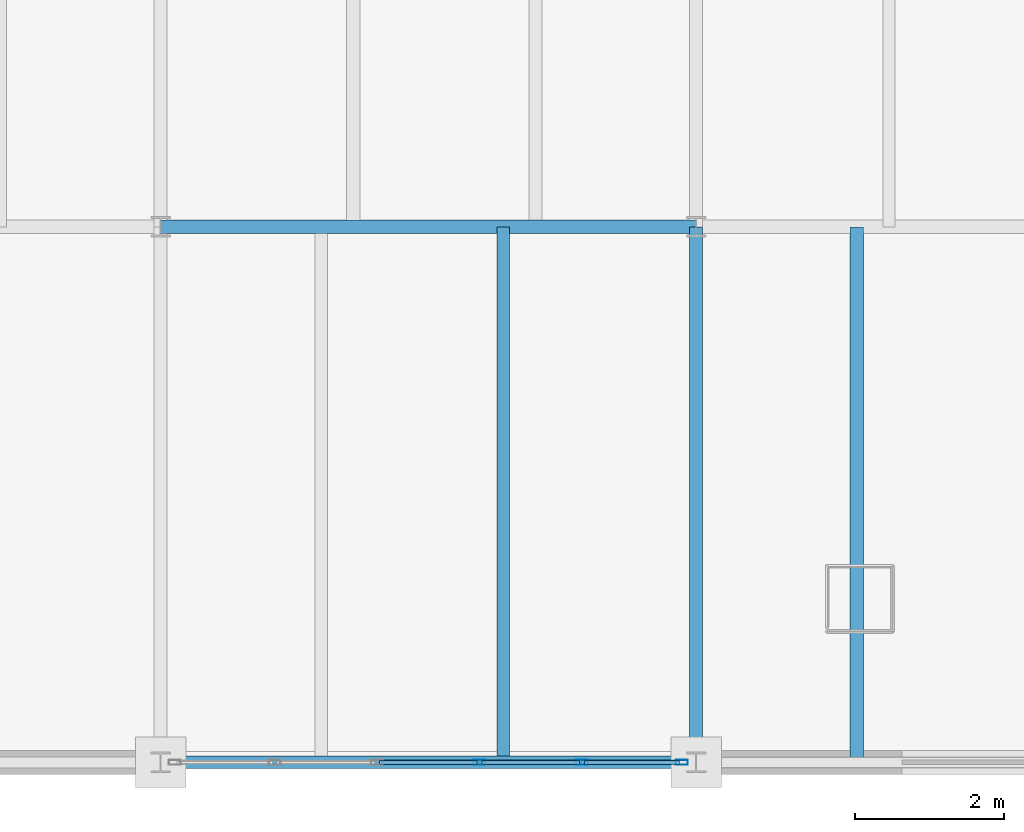
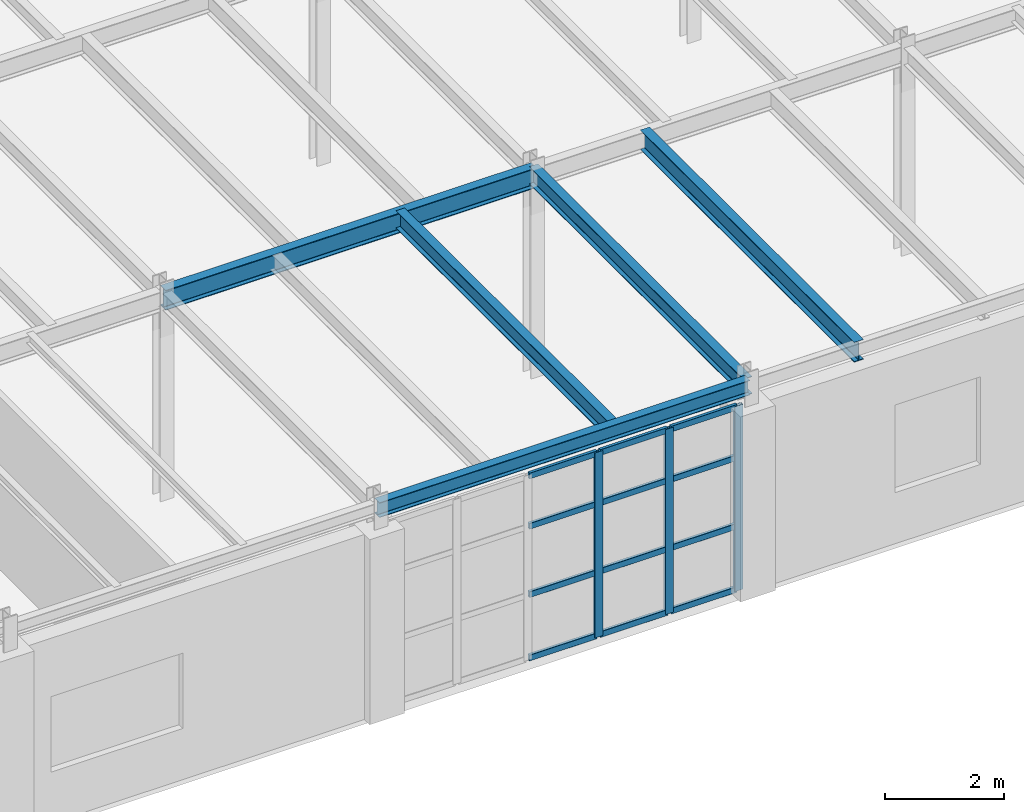
# One storey, part 17 of 101: 15 members, 5 beams, 1 element without a shape of its own.
"""IFC4 building model written with IfcOpenShell, lengths in metres."""

import ifcopenshell
import ifcopenshell.guid

model = None  # the IFC model being written
_history = None  # IfcOwnerHistory: only IFC2X3 demands one
_inside = {}  # id of a spatial element -> (the spatial element, [elements in it])
_under = {}  # id of a project, library or spatial element -> (it, [spatial elements below it])
_declared = {}  # id of a project -> (the project, [libraries it declares])
_typed = {}  # id of a type object -> (the type object, [elements of that type])
_made_of = {}  # id of a material, layer set ... -> (it, [elements and type objects made of it])


def new_model(schema):
    """Start an empty IFC model of exactly this schema.

    Asked for "IFC4X3", IfcOpenShell would pick the latest addendum, in which some entities
    have other attributes; the version numbers below select the first issue.
    IFC2X3 requires an IfcOwnerHistory on every rooted entity: one is made here for all.
    """
    global model, _history
    if schema == "IFC4X3":
        model = ifcopenshell.file(schema_version=(4, 3, 0, 0))
    else:
        model = ifcopenshell.file(schema=schema)
    _inside.clear()
    _under.clear()
    _declared.clear()
    _typed.clear()
    _made_of.clear()
    _history = None
    if model.schema == "IFC2X3":
        org = make("IfcOrganization", Name="unknown")
        user = make(
            "IfcPersonAndOrganization",
            ThePerson=make("IfcPerson", FamilyName="unknown"),
            TheOrganization=org,
        )
        app = make(
            "IfcApplication",
            ApplicationDeveloper=org,
            Version="unknown",
            ApplicationFullName="unknown",
            ApplicationIdentifier="unknown",
        )
        _history = make(
            "IfcOwnerHistory",
            OwningUser=user,
            OwningApplication=app,
            ChangeAction="ADDED",
            CreationDate=0,
        )
    return model


def make(cls, **values):
    """One entity of the class cls with the attributes given. An attribute that is None is left unset."""
    return model.create_entity(
        cls, **{name: value for name, value in values.items() if value is not None}
    )


def rooted(cls, **values):
    """An entity with a GlobalId (a new one), such as an element, a storey or a relation."""
    return make(cls, GlobalId=ifcopenshell.guid.new(), OwnerHistory=_history, **values)


def si_unit(unit_type, name, prefix=None):
    """IfcSIUnit, for example si_unit("LENGTHUNIT", "METRE", prefix="MILLI")."""
    return make("IfcSIUnit", UnitType=unit_type, Prefix=prefix, Name=name)


def assignment(units):
    """IfcUnitAssignment: the units of a project."""
    return None if units is None else make("IfcUnitAssignment", Units=units)


def point(xyz):
    """IfcCartesianPoint."""
    return None if xyz is None else make("IfcCartesianPoint", Coordinates=xyz)


def direction(xyz):
    """IfcDirection."""
    return None if xyz is None else make("IfcDirection", DirectionRatios=xyz)


def frame(location, z_axis=None, x_axis=None):
    """IfcAxis2Placement3D, a coordinate frame: its origin and axes. An axis left out is left unset."""
    return make(
        "IfcAxis2Placement3D",
        Location=point(location),
        Axis=direction(z_axis),
        RefDirection=direction(x_axis),
    )


def frame_2d(location, x_axis=None):
    """IfcAxis2Placement2D, a coordinate frame in the plane: its origin and x axis."""
    return make(
        "IfcAxis2Placement2D", Location=point(location), RefDirection=direction(x_axis)
    )


def origin():
    """The frame at (0, 0, 0) with its axes left unset."""
    return frame((0.0, 0.0, 0.0))


def origin_2d():
    """The frame at (0, 0) in the plane with its x axis left unset."""
    return frame_2d((0.0, 0.0))


def place(relative_to, where):
    """IfcLocalPlacement: puts the frame where relative to a parent placement (None: the world)."""
    return make(
        "IfcLocalPlacement", PlacementRelTo=relative_to, RelativePlacement=where
    )


def context(
    kind, dimensions, precision=None, world=None, true_north=None, identifier=None
):
    """IfcGeometricRepresentationContext, for example the 3D "Model" context."""
    return make(
        "IfcGeometricRepresentationContext",
        ContextIdentifier=identifier,
        ContextType=kind,
        CoordinateSpaceDimension=dimensions,
        Precision=precision,
        WorldCoordinateSystem=world,
        TrueNorth=true_north,
    )


def subcontext(parent, identifier, kind, view, scale=None):
    """IfcGeometricRepresentationSubContext, for example "Body" below "Model"."""
    return make(
        "IfcGeometricRepresentationSubContext",
        ContextIdentifier=identifier,
        ContextType=kind,
        ParentContext=parent,
        TargetScale=scale,
        TargetView=view,
    )


def project(units=None, contexts=None):
    """IfcProject with its units and contexts."""
    return rooted(
        "IfcProject",
        Name="project",
        RepresentationContexts=contexts,
        UnitsInContext=assignment(units),
    )


def spatial(cls, under=None, at=None, **own):
    """A site, building, storey or space (cls), placed at a placement, below another one or the project."""
    s = rooted(cls, ObjectPlacement=at, **own)
    if under is not None:
        _under.setdefault(under.id(), (under, []))[1].append(s)
    return s


def profile(cls, at=None, kind="AREA", **sizes):
    """A parametric profile (cls). Its sizes go by their IFC names, for example OverallWidth=200.0."""
    return make(cls, ProfileType=kind, Position=at, **sizes)


def hollow_rectangle(**sizes):
    """IfcRectangleHollowProfileDef."""
    return profile("IfcRectangleHollowProfileDef", **sizes)


def i_section(**sizes):
    """IfcIShapeProfileDef."""
    return profile("IfcIShapeProfileDef", **sizes)


def extrude(swept, where, along, depth):
    """IfcExtrudedAreaSolid: the profile swept, set in the frame where, extruded along a direction by depth."""
    return make(
        "IfcExtrudedAreaSolid",
        SweptArea=swept,
        Position=where,
        ExtrudedDirection=direction(along),
        Depth=depth,
    )


def shape(context_of_items, identifier, shape_type, items):
    """IfcShapeRepresentation: the items that make up one representation, for example the "Body"."""
    return make(
        "IfcShapeRepresentation",
        ContextOfItems=context_of_items,
        RepresentationIdentifier=identifier,
        RepresentationType=shape_type,
        Items=items,
    )


def material(Name=None, Category=None):
    """IfcMaterial."""
    return make("IfcMaterial", Name=Name, Category=Category)


def layer(
    of_material, thickness, ventilated=None, Name=None, Category=None, Priority=None
):
    """IfcMaterialLayer: one layer of a wall or slab, of a material (None: an air gap)."""
    return make(
        "IfcMaterialLayer",
        Material=of_material,
        LayerThickness=thickness,
        IsVentilated=ventilated,
        Name=Name,
        Category=Category,
        Priority=Priority,
    )


def layer_set(layers, Name=None):
    """IfcMaterialLayerSet."""
    return make("IfcMaterialLayerSet", MaterialLayers=layers, LayerSetName=Name)


def material_profile(
    of_material, cross_section, Name=None, Category=None, Priority=None
):
    """IfcMaterialProfile: a cross section and its material."""
    return make(
        "IfcMaterialProfile",
        Name=Name,
        Material=of_material,
        Profile=cross_section,
        Priority=Priority,
        Category=Category,
    )


def profile_set(profiles, Name=None, composite=None):
    """IfcMaterialProfileSet."""
    return make(
        "IfcMaterialProfileSet",
        Name=Name,
        MaterialProfiles=profiles,
        CompositeProfile=composite,
    )


def made_of(thing, what):
    """Note that an element or type object is made of a material, layer set ...; save() writes the relation."""
    if what is not None:
        _made_of.setdefault(what.id(), (what, []))[1].append(thing)
    return thing


def type_object(cls, material=None, **own):
    """A type object (cls), such as IfcWallType, which elements share."""
    return made_of(rooted(cls, **own), material)


def element(
    cls,
    number,
    at=None,
    inside=None,
    cuts=None,
    type_object=None,
    material=None,
    context=None,
    identifier="Body",
    shape_type=None,
    held_by="IfcProductDefinitionShape",
    body=None,
    shapes=None,
    **own,
):
    """One element of the class cls, such as IfcWall. Its Tag is "e" and its number.

    at: its placement. inside: the storey or other place that contains it. cuts: it is an
    opening in that element (IfcRelVoidsElement). A single representation is given by context,
    identifier, shape_type and body (its items); several are given by shapes. held_by: the class
    of the entity that holds the representations. save() writes the other relations.
    """
    e = rooted(cls, Tag="e%d" % number, ObjectPlacement=at, **own)
    if body is not None:
        shapes = [shape(context, identifier, shape_type, body)]
    if shapes is not None:
        e.Representation = make(held_by, Representations=shapes)
    if inside is not None:
        _inside.setdefault(inside.id(), (inside, []))[1].append(e)
    if cuts is not None:
        rooted(
            "IfcRelVoidsElement", RelatingBuildingElement=cuts, RelatedOpeningElement=e
        )
    if type_object is not None:
        _typed.setdefault(type_object.id(), (type_object, []))[1].append(e)
    return made_of(e, material)


def aggregate(whole, parts):
    """IfcRelAggregates: a whole, such as a stair, and the parts it consists of."""
    return rooted("IfcRelAggregates", RelatingObject=whole, RelatedObjects=parts)


def save(model, path):
    """Write the relations noted so far, then the file.

    IfcRelAggregates (storeys below a building ...), IfcRelContainedInSpatialStructure (elements
    in a storey), IfcRelDefinesByType, IfcRelAssociatesMaterial and IfcRelDeclares: one each for
    every whole, place, type object, material and project.
    """
    for whole, parts in _under.values():
        aggregate(whole, parts)
    for where, things in _inside.values():
        rooted(
            "IfcRelContainedInSpatialStructure",
            RelatedElements=things,
            RelatingStructure=where,
        )
    for kind, things in _typed.values():
        rooted("IfcRelDefinesByType", RelatedObjects=things, RelatingType=kind)
    for what, things in _made_of.values():
        rooted("IfcRelAssociatesMaterial", RelatedObjects=things, RelatingMaterial=what)
    for by, libraries in _declared.values():
        rooted("IfcRelDeclares", RelatingContext=by, RelatedDefinitions=libraries)
    model.write(path)


model = new_model("IFC4")

# Units and contexts
model_context = context("Model", 3, precision=1e-05, world=origin(), true_north=direction((0.0, 1.0)))
body_context = subcontext(model_context, "Body", "Model", "MODEL_VIEW")
ifc_project = project(units=[si_unit("LENGTHUNIT", "METRE"), si_unit("AREAUNIT", "SQUARE_METRE"), si_unit("VOLUMEUNIT", "CUBIC_METRE"), si_unit("PLANEANGLEUNIT", "RADIAN"), si_unit("MASSUNIT", "GRAM", prefix="KILO")], contexts=[model_context])

# Site, building, storey
site_placement = place(None, origin())
site = spatial("IfcSite", under=ifc_project, at=site_placement, CompositionType="ELEMENT")
building_placement = place(site_placement, origin())
building = spatial("IfcBuilding", under=site, at=building_placement, Name="Kemerveld Promenade Tramway Depot", CompositionType="ELEMENT")
storey_placement = place(building_placement, frame((0.0, 0.0, 9.89990234375)))
storey = spatial("IfcBuildingStorey", under=building, at=storey_placement, Name="L02", CompositionType="ELEMENT", Elevation=9.89990234375)

# Beams
ifc_material_1 = material(Name="Steel S355", Category="steel")
ifc_material_profile_1 = material_profile(ifc_material_1, i_section(OverallWidth=0.1787109375, OverallDepth=0.409423828125, WebThickness=0.0087890625, FlangeThickness=0.014404296875, FilletRadius=0.01025390625, at=origin_2d()), Name="406x178x67 UB")
ifc_profile_set_1 = profile_set([ifc_material_profile_1], Name="Steel S355")
beam_type_1 = type_object("IfcBeamType", Name="BM-G07", PredefinedType="BEAM", material=ifc_profile_set_1)
beam_1_placement = place(storey_placement, frame((21.60009765625, 7.199951171875, 4.080322265625), z_axis=(1.0, 0.0, 0.0), x_axis=(0.0, 1.0, 0.0)))
element("IfcBeam", 1, at=beam_1_placement, inside=storey, type_object=beam_type_1, Name="BMX-L02-04-05-B", PredefinedType="BEAM", context=body_context, shape_type="SweptSolid", body=[
    extrude(i_section(OverallWidth=0.1787109375, OverallDepth=0.409423828125, WebThickness=0.0087890625, FlangeThickness=0.014404296875, FilletRadius=0.01025390625, at=origin_2d()), origin(), (0.0, 0.0, 1.0), 7.199951171875),
])
ifc_material_profile_2 = material_profile(ifc_material_1, i_section(OverallWidth=0.172119140625, OverallDepth=0.35791015625, WebThickness=0.008056640625, FlangeThickness=0.012939453125, FilletRadius=0.01025390625, at=origin_2d()), Name="356x171x57 UB")
ifc_profile_set_2 = profile_set([ifc_material_profile_2], Name="Steel S355")
beam_type_2 = type_object("IfcBeamType", Name="BM-G08", PredefinedType="BEAM", material=ifc_profile_set_2)
beam_2_placement = place(storey_placement, frame((28.800048828125, 0.0, 4.106201171875), z_axis=(0.0, 1.0, 0.0), x_axis=(-1.0, 0.0, 0.0)))
element("IfcBeam", 2, at=beam_2_placement, inside=storey, type_object=beam_type_2, Name="BMY-L02-05-A-B", PredefinedType="BEAM", context=body_context, shape_type="SweptSolid", body=[
    extrude(i_section(OverallWidth=0.172119140625, OverallDepth=0.35791015625, WebThickness=0.008056640625, FlangeThickness=0.012939453125, FilletRadius=0.01025390625, at=origin_2d()), origin(), (0.0, 0.0, 1.0), 7.199951171875),
])
ifc_material_profile_3 = material_profile(ifc_material_1, i_section(OverallWidth=0.165771484375, OverallDepth=0.306640625, WebThickness=0.006591796875, FlangeThickness=0.01171875, FilletRadius=0.0087890625, at=origin_2d()), Name="305x165x46 UB")
ifc_profile_set_3 = profile_set([ifc_material_profile_3], Name="Steel S355")
beam_type_3 = type_object("IfcBeamType", Name="BM-G16", PredefinedType="BEAM", material=ifc_profile_set_3)
beam_3_placement = place(storey_placement, frame((21.60009765625, 0.0, 4.1318359375), z_axis=(1.0, 0.0, 0.0), x_axis=(0.0, 1.0, 0.0)))
element("IfcBeam", 3, at=beam_3_placement, inside=storey, type_object=beam_type_3, Name="BMX-L02-04-05-A", PredefinedType="BEAM", context=body_context, shape_type="SweptSolid", body=[
    extrude(i_section(OverallWidth=0.165771484375, OverallDepth=0.306640625, WebThickness=0.006591796875, FlangeThickness=0.01171875, FilletRadius=0.0087890625, at=origin_2d()), origin(), (0.0, 0.0, 1.0), 7.199951171875),
])
ifc_material_profile_4 = material_profile(ifc_material_1, i_section(OverallWidth=0.172119140625, OverallDepth=0.35791015625, WebThickness=0.008056640625, FlangeThickness=0.012939453125, FilletRadius=0.01025390625, at=origin_2d()), Name="356x171x57 UB")
ifc_profile_set_4 = profile_set([ifc_material_profile_4], Name="Steel S355")
beam_type_4 = type_object("IfcBeamType", Name="BM-J04", PredefinedType="JOIST", material=ifc_profile_set_4)
beam_4_placement = place(storey_placement, frame((26.2080078125, 0.0, 4.106201171875), z_axis=(0.0, 1.0, 0.0), x_axis=(-1.0, 0.0, 0.0)))
element("IfcBeam", 4, at=beam_4_placement, inside=storey, type_object=beam_type_4, Name="JST-L02-04-A-2", PredefinedType="JOIST", context=body_context, shape_type="SweptSolid", body=[
    extrude(i_section(OverallWidth=0.172119140625, OverallDepth=0.35791015625, WebThickness=0.008056640625, FlangeThickness=0.012939453125, FilletRadius=0.01025390625, at=origin_2d()), origin(), (0.0, 0.0, 1.0), 7.199951171875),
])
ifc_material_profile_5 = material_profile(ifc_material_1, i_section(OverallWidth=0.1787109375, OverallDepth=0.409423828125, WebThickness=0.0087890625, FlangeThickness=0.014404296875, FilletRadius=0.01025390625, at=origin_2d()), Name="406x178x67 UB")
ifc_profile_set_5 = profile_set([ifc_material_profile_5], Name="Steel S355")
beam_type_5 = type_object("IfcBeamType", Name="BM-J05", PredefinedType="JOIST", material=ifc_profile_set_5)
beam_5_placement = place(storey_placement, frame((30.9599609375, 0.0, 4.080322265625), z_axis=(0.0, 1.0, 0.0), x_axis=(-1.0, 0.0, 0.0)))
element("IfcBeam", 5, at=beam_5_placement, inside=storey, type_object=beam_type_5, Name="JST-L02-05-A-1", PredefinedType="JOIST", context=body_context, shape_type="SweptSolid", body=[
    extrude(i_section(OverallWidth=0.1787109375, OverallDepth=0.409423828125, WebThickness=0.0087890625, FlangeThickness=0.014404296875, FilletRadius=0.01025390625, at=origin_2d()), origin(), (0.0, 0.0, 1.0), 7.199951171875),
])

# Curtain wall, members
ifc_material_2 = material(Name="Bronze anodised aluminium and solar glass", Category="aluminium")
ifc_layer = layer(ifc_material_2, 0.159912109375)
ifc_layer_set = layer_set([ifc_layer], Name="CW-SYS-07")
curtain_wall_type = type_object("IfcCurtainWallType", Name="CW-SYS-07", PredefinedType="USERDEFINED", material=ifc_layer_set)
curtain_wall_placement = place(storey_placement, origin())
curtain_wall = element("IfcCurtainWall", 6, at=curtain_wall_placement, inside=storey, type_object=curtain_wall_type, Name="CW-L02-V5S-04", ObjectType="GLAZED_CURTAIN_WALL", PredefinedType="USERDEFINED")
ifc_material_3 = material(Name="Bronze anodised aluminium", Category="aluminium")
ifc_material_profile_6 = material_profile(ifc_material_3, hollow_rectangle(XDim=0.06494140625, YDim=0.159912109375, WallThickness=0.00390625, InnerFilletRadius=0.001953125, OuterFilletRadius=0.00390625, at=origin_2d()), Name="CW-MUL-160x65")
ifc_profile_set_6 = profile_set([ifc_material_profile_6], Name="Bronze anodised aluminium")
member_type_1 = type_object("IfcMemberType", Name="CW-MUL-A", PredefinedType="MULLION", material=ifc_profile_set_6)
member_1_placement = place(storey_placement, frame((28.609375, 0.0, 0.0), z_axis=(0.0, 0.0, 1.0), x_axis=(0.0, -1.0, 0.0)))
member_1 = element("IfcMember", 7, at=member_1_placement, type_object=member_type_1, Name="CW07 mullion 1", PredefinedType="MULLION", context=body_context, shape_type="SweptSolid", body=[
    extrude(hollow_rectangle(XDim=0.06494140625, YDim=0.159912109375, WallThickness=0.00390625, InnerFilletRadius=0.001953125, OuterFilletRadius=0.00390625, at=origin_2d()), origin(), (0.0, 0.0, 1.0), 3.800048828125),
])
member_2_placement = place(storey_placement, frame((27.26513671875, 0.0, 0.0), z_axis=(0.0, 0.0, 1.0), x_axis=(0.0, -1.0, 0.0)))
member_2 = element("IfcMember", 8, at=member_2_placement, type_object=member_type_1, Name="CW07 mullion 2", PredefinedType="MULLION", context=body_context, shape_type="SweptSolid", body=[
    extrude(hollow_rectangle(XDim=0.06494140625, YDim=0.159912109375, WallThickness=0.00390625, InnerFilletRadius=0.001953125, OuterFilletRadius=0.00390625, at=origin_2d()), origin(), (0.0, 0.0, 1.0), 3.800048828125),
])
member_3_placement = place(storey_placement, frame((25.888427734375, 0.0, 0.0), z_axis=(0.0, 0.0, 1.0), x_axis=(0.0, -1.0, 0.0)))
member_3 = element("IfcMember", 9, at=member_3_placement, type_object=member_type_1, Name="CW07 mullion 3", PredefinedType="MULLION", context=body_context, shape_type="SweptSolid", body=[
    extrude(hollow_rectangle(XDim=0.06494140625, YDim=0.159912109375, WallThickness=0.00390625, InnerFilletRadius=0.001953125, OuterFilletRadius=0.00390625, at=origin_2d()), origin(), (0.0, 0.0, 1.0), 3.800048828125),
])
ifc_material_profile_7 = material_profile(ifc_material_3, hollow_rectangle(XDim=0.06005859375, YDim=0.1201171875, WallThickness=0.00390625, InnerFilletRadius=0.001953125, OuterFilletRadius=0.00390625, at=origin_2d()), Name="CW-TRN-120x60")
ifc_profile_set_7 = profile_set([ifc_material_profile_7], Name="Bronze anodised aluminium")
member_type_2 = type_object("IfcMemberType", Name="CW-TRN-A", PredefinedType="USERDEFINED", material=ifc_profile_set_7)
member_4_placement = place(storey_placement, frame((28.576904296875, 0.0, 0.030029296875), z_axis=(-1.0, 0.0, 0.0), x_axis=(0.0, -1.0, 0.0)))
member_4 = element("IfcMember", 10, at=member_4_placement, type_object=member_type_2, Name="CW07 transom 1.1", ObjectType="TRANSOM", PredefinedType="USERDEFINED", context=body_context, shape_type="SweptSolid", body=[
    extrude(hollow_rectangle(XDim=0.06005859375, YDim=0.1201171875, WallThickness=0.00390625, InnerFilletRadius=0.001953125, OuterFilletRadius=0.00390625, at=origin_2d()), origin(), (0.0, 0.0, 1.0), 1.279296875),
])
member_5_placement = place(storey_placement, frame((28.576904296875, 0.0, 1.330078125), z_axis=(-1.0, 0.0, 0.0), x_axis=(0.0, -1.0, 0.0)))
member_5 = element("IfcMember", 11, at=member_5_placement, type_object=member_type_2, Name="CW07 transom 1.2", ObjectType="TRANSOM", PredefinedType="USERDEFINED", context=body_context, shape_type="SweptSolid", body=[
    extrude(hollow_rectangle(XDim=0.06005859375, YDim=0.1201171875, WallThickness=0.00390625, InnerFilletRadius=0.001953125, OuterFilletRadius=0.00390625, at=origin_2d()), origin(), (0.0, 0.0, 1.0), 1.279296875),
])
member_6_placement = place(storey_placement, frame((28.576904296875, 0.0, 2.736083984375), z_axis=(-1.0, 0.0, 0.0), x_axis=(0.0, -1.0, 0.0)))
member_6 = element("IfcMember", 12, at=member_6_placement, type_object=member_type_2, Name="CW07 transom 1.3", ObjectType="TRANSOM", PredefinedType="USERDEFINED", context=body_context, shape_type="SweptSolid", body=[
    extrude(hollow_rectangle(XDim=0.06005859375, YDim=0.1201171875, WallThickness=0.00390625, InnerFilletRadius=0.001953125, OuterFilletRadius=0.00390625, at=origin_2d()), origin(), (0.0, 0.0, 1.0), 1.279296875),
])
member_7_placement = place(storey_placement, frame((28.576904296875, 0.0, 3.77001953125), z_axis=(-1.0, 0.0, 0.0), x_axis=(0.0, -1.0, 0.0)))
member_7 = element("IfcMember", 13, at=member_7_placement, type_object=member_type_2, Name="CW07 transom 1.4", ObjectType="TRANSOM", PredefinedType="USERDEFINED", context=body_context, shape_type="SweptSolid", body=[
    extrude(hollow_rectangle(XDim=0.06005859375, YDim=0.1201171875, WallThickness=0.00390625, InnerFilletRadius=0.001953125, OuterFilletRadius=0.00390625, at=origin_2d()), origin(), (0.0, 0.0, 1.0), 1.279296875),
])
member_8_placement = place(storey_placement, frame((27.232666015625, 0.0, 0.030029296875), z_axis=(-1.0, 0.0, 0.0), x_axis=(0.0, -1.0, 0.0)))
member_8 = element("IfcMember", 14, at=member_8_placement, type_object=member_type_2, Name="CW07 transom 2.1", ObjectType="TRANSOM", PredefinedType="USERDEFINED", context=body_context, shape_type="SweptSolid", body=[
    extrude(hollow_rectangle(XDim=0.06005859375, YDim=0.1201171875, WallThickness=0.00390625, InnerFilletRadius=0.001953125, OuterFilletRadius=0.00390625, at=origin_2d()), origin(), (0.0, 0.0, 1.0), 1.311767578125),
])
member_9_placement = place(storey_placement, frame((27.232666015625, 0.0, 1.330078125), z_axis=(-1.0, 0.0, 0.0), x_axis=(0.0, -1.0, 0.0)))
member_9 = element("IfcMember", 15, at=member_9_placement, type_object=member_type_2, Name="CW07 transom 2.2", ObjectType="TRANSOM", PredefinedType="USERDEFINED", context=body_context, shape_type="SweptSolid", body=[
    extrude(hollow_rectangle(XDim=0.06005859375, YDim=0.1201171875, WallThickness=0.00390625, InnerFilletRadius=0.001953125, OuterFilletRadius=0.00390625, at=origin_2d()), origin(), (0.0, 0.0, 1.0), 1.311767578125),
])
member_10_placement = place(storey_placement, frame((27.232666015625, 0.0, 2.736083984375), z_axis=(-1.0, 0.0, 0.0), x_axis=(0.0, -1.0, 0.0)))
member_10 = element("IfcMember", 16, at=member_10_placement, type_object=member_type_2, Name="CW07 transom 2.3", ObjectType="TRANSOM", PredefinedType="USERDEFINED", context=body_context, shape_type="SweptSolid", body=[
    extrude(hollow_rectangle(XDim=0.06005859375, YDim=0.1201171875, WallThickness=0.00390625, InnerFilletRadius=0.001953125, OuterFilletRadius=0.00390625, at=origin_2d()), origin(), (0.0, 0.0, 1.0), 1.311767578125),
])
member_11_placement = place(storey_placement, frame((27.232666015625, 0.0, 3.77001953125), z_axis=(-1.0, 0.0, 0.0), x_axis=(0.0, -1.0, 0.0)))
member_11 = element("IfcMember", 17, at=member_11_placement, type_object=member_type_2, Name="CW07 transom 2.4", ObjectType="TRANSOM", PredefinedType="USERDEFINED", context=body_context, shape_type="SweptSolid", body=[
    extrude(hollow_rectangle(XDim=0.06005859375, YDim=0.1201171875, WallThickness=0.00390625, InnerFilletRadius=0.001953125, OuterFilletRadius=0.00390625, at=origin_2d()), origin(), (0.0, 0.0, 1.0), 1.311767578125),
])
member_12_placement = place(storey_placement, frame((25.85595703125, 0.0, 0.030029296875), z_axis=(-1.0, 0.0, 0.0), x_axis=(0.0, -1.0, 0.0)))
member_12 = element("IfcMember", 18, at=member_12_placement, type_object=member_type_2, Name="CW07 transom 3.1", ObjectType="TRANSOM", PredefinedType="USERDEFINED", context=body_context, shape_type="SweptSolid", body=[
    extrude(hollow_rectangle(XDim=0.06005859375, YDim=0.1201171875, WallThickness=0.00390625, InnerFilletRadius=0.001953125, OuterFilletRadius=0.00390625, at=origin_2d()), origin(), (0.0, 0.0, 1.0), 1.311767578125),
])
member_13_placement = place(storey_placement, frame((25.85595703125, 0.0, 1.330078125), z_axis=(-1.0, 0.0, 0.0), x_axis=(0.0, -1.0, 0.0)))
member_13 = element("IfcMember", 19, at=member_13_placement, type_object=member_type_2, Name="CW07 transom 3.2", ObjectType="TRANSOM", PredefinedType="USERDEFINED", context=body_context, shape_type="SweptSolid", body=[
    extrude(hollow_rectangle(XDim=0.06005859375, YDim=0.1201171875, WallThickness=0.00390625, InnerFilletRadius=0.001953125, OuterFilletRadius=0.00390625, at=origin_2d()), origin(), (0.0, 0.0, 1.0), 1.311767578125),
])
member_14_placement = place(storey_placement, frame((25.85595703125, 0.0, 2.736083984375), z_axis=(-1.0, 0.0, 0.0), x_axis=(0.0, -1.0, 0.0)))
member_14 = element("IfcMember", 20, at=member_14_placement, type_object=member_type_2, Name="CW07 transom 3.3", ObjectType="TRANSOM", PredefinedType="USERDEFINED", context=body_context, shape_type="SweptSolid", body=[
    extrude(hollow_rectangle(XDim=0.06005859375, YDim=0.1201171875, WallThickness=0.00390625, InnerFilletRadius=0.001953125, OuterFilletRadius=0.00390625, at=origin_2d()), origin(), (0.0, 0.0, 1.0), 1.311767578125),
])
member_15_placement = place(storey_placement, frame((25.85595703125, 0.0, 3.77001953125), z_axis=(-1.0, 0.0, 0.0), x_axis=(0.0, -1.0, 0.0)))
member_15 = element("IfcMember", 21, at=member_15_placement, type_object=member_type_2, Name="CW07 transom 3.4", ObjectType="TRANSOM", PredefinedType="USERDEFINED", context=body_context, shape_type="SweptSolid", body=[
    extrude(hollow_rectangle(XDim=0.06005859375, YDim=0.1201171875, WallThickness=0.00390625, InnerFilletRadius=0.001953125, OuterFilletRadius=0.00390625, at=origin_2d()), origin(), (0.0, 0.0, 1.0), 1.311767578125),
])
aggregate(curtain_wall, [member_1, member_2, member_3, member_4, member_5, member_6, member_7, member_8, member_9, member_10, member_11, member_12, member_13, member_14, member_15])

save(model, "model.ifc")
